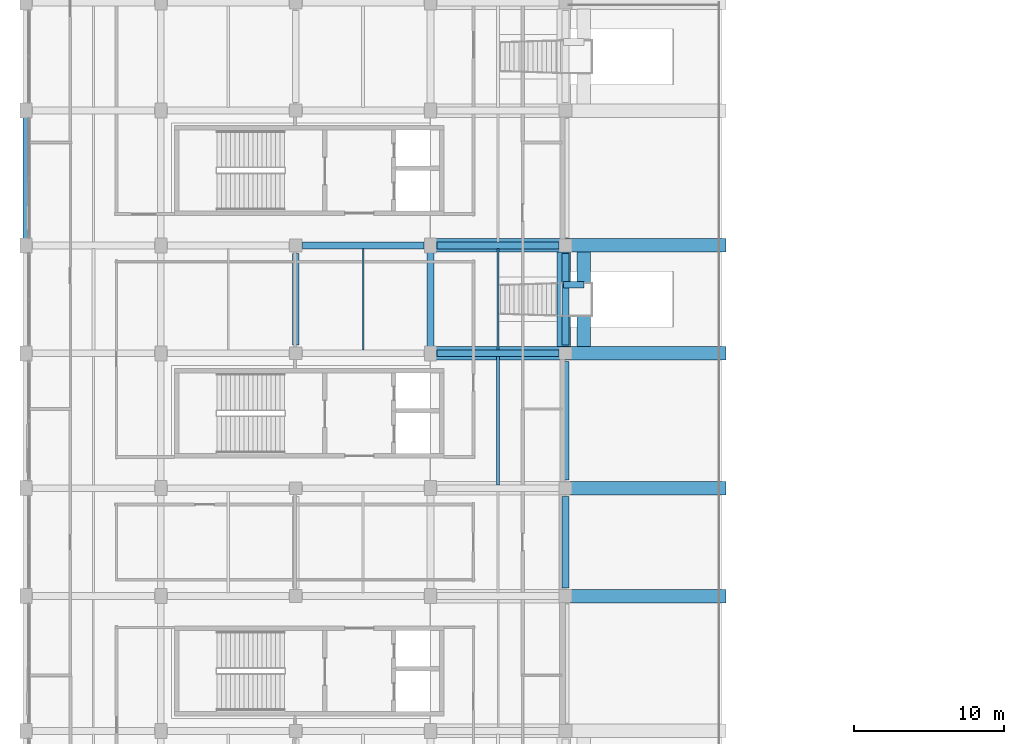
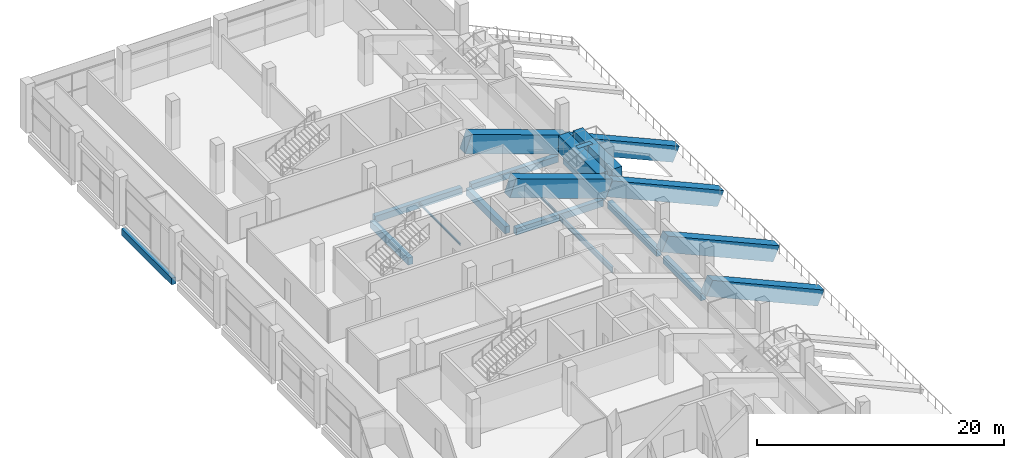
# One storey, part 28 of 66: 21 beams.
"""IFC4 building model written with IfcOpenShell, lengths in metres."""

from ifc_helpers import new_model, si_unit, direction, frame, origin, origin_2d, place, context, subcontext, project, spatial, rectangle, i_section, extrude, material, material_profile, profile_set, type_object, element, save


model = new_model("IFC4")

# Units and contexts
model_context = context("Model", 3, precision=1e-05, world=origin(), true_north=direction((0.0, 1.0)))
body_context = subcontext(model_context, "Body", "Model", "MODEL_VIEW")
ifc_project = project(units=[si_unit("LENGTHUNIT", "METRE"), si_unit("AREAUNIT", "SQUARE_METRE"), si_unit("VOLUMEUNIT", "CUBIC_METRE"), si_unit("PLANEANGLEUNIT", "RADIAN"), si_unit("MASSUNIT", "GRAM", prefix="KILO"), si_unit("THERMODYNAMICTEMPERATUREUNIT", "KELVIN"), si_unit("POWERUNIT", "WATT")], contexts=[model_context])

# Site, building, storey
site_placement = place(None, origin())
site = spatial("IfcSite", under=ifc_project, at=site_placement, CompositionType="ELEMENT")
building_placement = place(site_placement, origin())
building = spatial("IfcBuilding", under=site, at=building_placement, Name="Sindhuravela Promenade Stadium", CompositionType="ELEMENT")
storey_placement = place(building_placement, frame((0.0, 0.0, 19.199951171875)))
storey = spatial("IfcBuildingStorey", under=building, at=storey_placement, Name="L04", CompositionType="ELEMENT", Elevation=19.199951171875)

# Beams
ifc_material_1 = material(Name="Concrete M40", Category="concrete")
ifc_material_profile_1 = material_profile(ifc_material_1, rectangle(XDim=0.39990234375, YDim=0.64990234375, at=origin_2d()), Name="RC 400x650")
ifc_profile_set_1 = profile_set([ifc_material_profile_1], Name="Concrete M40")
beam_type_1 = type_object("IfcBeamType", Name="RC-BM-400x650", PredefinedType="SPANDREL", material=ifc_profile_set_1)
beam_1_placement = place(storey_placement, frame((0.0, 101.239990234375, -0.64501953125), z_axis=(0.0, 1.0, 0.0), x_axis=(-1.0, 0.0, 0.0)))
element("IfcBeam", 1, at=beam_1_placement, inside=storey, type_object=beam_type_1, Name="Primary beam SP01 WEST L04", PredefinedType="SPANDREL", context=body_context, shape_type="SweptSolid", body=[
    extrude(rectangle(XDim=0.39990234375, YDim=0.64990234375, at=origin_2d()), origin(), (0.0, 0.0, 1.0), 8.1201171875),
])
ifc_material_profile_2 = material_profile(ifc_material_1, rectangle(XDim=0.449951171875, YDim=0.64990234375, at=origin_2d()), Name="RC 450x650")
ifc_profile_set_2 = profile_set([ifc_material_profile_2], Name="Concrete M40")
beam_type_2 = type_object("IfcBeamType", Name="RC-BM-450x650", PredefinedType="T_BEAM", material=ifc_profile_set_2)
for number, where, z_axis, x_axis, name in (
    (2, (27.43994140625, 93.60009765625, -0.64501953125), (1.0, 0.0, 0.0), (0.0, 1.0, 0.0), "Primary girder GB08 WEST L04"),
    (3, (18.43994140625, 100.800048828125, -0.64501953125), (1.0, 0.0, 0.0), (0.0, 1.0, 0.0), "Primary girder GB08 WEST L04"),
    (4, (27.43994140625, 100.800048828125, -0.64501953125), (1.0, 0.0, 0.0), (0.0, 1.0, 0.0), "Primary girder GB08 WEST L04"),
):
    element("IfcBeam", number, at=place(storey_placement, frame(where, z_axis=z_axis, x_axis=x_axis)), inside=storey, type_object=beam_type_2, Name=name, PredefinedType="T_BEAM", context=body_context, shape_type="SweptSolid", body=[
        extrude(rectangle(XDim=0.449951171875, YDim=0.64990234375, at=origin_2d()), origin(), (0.0, 0.0, 1.0), 8.1201171875),
    ])
ifc_material_profile_3 = material_profile(ifc_material_1, rectangle(XDim=0.449951171875, YDim=0.699951171875, at=origin_2d()), Name="RC 450x700")
ifc_profile_set_3 = profile_set([ifc_material_profile_3], Name="Concrete M40")
beam_type_3 = type_object("IfcBeamType", Name="RC-BM-450x700", PredefinedType="BEAM", material=ifc_profile_set_3)
beam_2_placement = place(storey_placement, frame((18.0, 94.139892578125, -0.669921875), z_axis=(0.0, 1.0, 0.0), x_axis=(-1.0, 0.0, 0.0)))
element("IfcBeam", 5, at=beam_2_placement, inside=storey, type_object=beam_type_3, Name="Primary beam GB07 WEST L04", PredefinedType="BEAM", context=body_context, shape_type="SweptSolid", body=[
    extrude(rectangle(XDim=0.449951171875, YDim=0.699951171875, at=origin_2d()), origin(), (0.0, 0.0, 1.0), 6.1201171875),
])
beam_3_placement = place(storey_placement, frame((27.0, 94.0400390625, -0.669921875), z_axis=(0.0, 1.0, 0.0), x_axis=(-1.0, 0.0, 0.0)))
element("IfcBeam", 6, at=beam_3_placement, inside=storey, type_object=beam_type_3, Name="Primary beam GB07 WEST L04", PredefinedType="BEAM", context=body_context, shape_type="SweptSolid", body=[
    extrude(rectangle(XDim=0.449951171875, YDim=0.699951171875, at=origin_2d()), origin(), (0.0, 0.0, 1.0), 6.320068359375),
])
beam_4_placement = place(storey_placement, frame((36.0, 77.93994140625, -0.669921875), z_axis=(0.0, 1.0, 0.0), x_axis=(-1.0, 0.0, 0.0)))
element("IfcBeam", 7, at=beam_4_placement, inside=storey, type_object=beam_type_3, Name="Primary beam GB07 WEST L04", PredefinedType="BEAM", context=body_context, shape_type="SweptSolid", body=[
    extrude(rectangle(XDim=0.449951171875, YDim=0.699951171875, at=origin_2d()), origin(), (0.0, 0.0, 1.0), 6.1201171875),
])
beam_5_placement = place(storey_placement, frame((36.0, 85.139892578125, -0.669921875), z_axis=(0.0, 1.0, 0.0), x_axis=(-1.0, 0.0, 0.0)))
element("IfcBeam", 8, at=beam_5_placement, inside=storey, type_object=beam_type_3, Name="Primary beam GB07 WEST L04", PredefinedType="BEAM", context=body_context, shape_type="SweptSolid", body=[
    extrude(rectangle(XDim=0.449951171875, YDim=0.699951171875, at=origin_2d()), origin(), (0.0, 0.0, 1.0), 7.920166015625),
])
beam_6_placement = place(storey_placement, frame((36.0, 94.139892578125, -0.669921875), z_axis=(0.0, 1.0, 0.0), x_axis=(-1.0, 0.0, 0.0)))
element("IfcBeam", 9, at=beam_6_placement, inside=storey, type_object=beam_type_3, Name="Primary beam GB07 WEST L04", PredefinedType="BEAM", context=body_context, shape_type="SweptSolid", body=[
    extrude(rectangle(XDim=0.449951171875, YDim=0.699951171875, at=origin_2d()), origin(), (0.0, 0.0, 1.0), 6.1201171875),
])
beam_7_placement = place(storey_placement, frame((35.8798828125, 98.179931640625, 1.505126953125), z_axis=(1.0, 0.0, 0.0), x_axis=(0.0, 1.0, 0.0)))
element("IfcBeam", 10, at=beam_7_placement, inside=storey, type_object=beam_type_3, Name="Vomitory VS14 landing edge stringer", PredefinedType="BEAM", context=body_context, shape_type="SweptSolid", body=[
    extrude(rectangle(XDim=0.449951171875, YDim=0.699951171875, at=origin_2d()), origin(), (0.0, 0.0, 1.0), 1.35009765625),
])
ifc_material_2 = material(Name="Concrete M50", Category="concrete")
ifc_material_profile_4 = material_profile(ifc_material_2, rectangle(XDim=0.89990234375, YDim=1.5, at=origin_2d()), Name="RC 900x1500")
ifc_profile_set_4 = profile_set([ifc_material_profile_4], Name="Concrete M50")
beam_type_4 = type_object("IfcBeamType", Name="RC-RK-900x1500", PredefinedType="USERDEFINED", material=ifc_profile_set_4)
for number, where, z_axis, x_axis, name in (
    (11, (36.0, 77.39990234375, 0.75), (0.9145386978691881, 0.0, -0.40449841791993457), (0.0, 1.0, 0.0), "Upper cantilevered raker RK02 West 59"),
    (12, (36.0, 84.60009765625, 0.75), (0.9145386978691881, 0.0, -0.40449841791993457), (0.0, 1.0, 0.0), "Upper cantilevered raker RK02 West 61"),
    (13, (36.0, 93.60009765625, 0.75), (0.9145386978691881, 0.0, -0.40449841791993457), (0.0, 1.0, 0.0), "Upper cantilevered raker RK02 West 63"),
    (14, (36.0, 100.800048828125, 0.75), (0.9145386978691881, 0.0, -0.40449841791993457), (0.0, 1.0, 0.0), "Upper cantilevered raker RK02 West 65"),
):
    element("IfcBeam", number, at=place(storey_placement, frame(where, z_axis=z_axis, x_axis=x_axis)), inside=storey, type_object=beam_type_4, Name=name, ObjectType="RAKER", PredefinedType="USERDEFINED", context=body_context, shape_type="SweptSolid", body=[
        extrude(rectangle(XDim=0.89990234375, YDim=1.5, at=origin_2d()), origin(), (0.0, 0.0, 1.0), 11.371826171875),
    ])
ifc_material_profile_5 = material_profile(ifc_material_2, rectangle(XDim=0.89990234375, YDim=1.800048828125, at=origin_2d()), Name="RC 900x1800")
ifc_profile_set_5 = profile_set([ifc_material_profile_5], Name="Concrete M50")
beam_type_5 = type_object("IfcBeamType", Name="RC-RK-900x1800", PredefinedType="USERDEFINED", material=ifc_profile_set_5)
for number, where, z_axis, x_axis, name in (
    (15, (27.0, 93.60009765625, 3.949951171875), (0.9422163038291221, 0.0, -0.3350051295108589), (0.0, 1.0, 0.0), "Upper raker back-span RK01 West 63"),
    (16, (27.0, 100.800048828125, 3.949951171875), (0.9422163038291221, 0.0, -0.3350051295108589), (0.0, 1.0, 0.0), "Upper raker back-span RK01 West 65"),
):
    element("IfcBeam", number, at=place(storey_placement, frame(where, z_axis=z_axis, x_axis=x_axis)), inside=storey, type_object=beam_type_5, Name=name, ObjectType="RAKER", PredefinedType="USERDEFINED", context=body_context, shape_type="SweptSolid", body=[
        extrude(rectangle(XDim=0.89990234375, YDim=1.800048828125, at=origin_2d()), origin(), (0.0, 0.0, 1.0), 9.552001953125),
    ])
for number, where, z_axis, x_axis, name in (
    (17, (35.8798828125, 94.0400390625, 0.955078125), (0.0, 1.0, 0.0), (-1.0, 0.0, 0.0), "Vomitory VS14 landing trimmer beam 1"),
    (18, (37.22998046875, 94.0400390625, 0.955078125), (0.0, 1.0, 0.0), (-1.0, 0.0, 0.0), "Vomitory VS14 landing trimmer beam 2"),
):
    element("IfcBeam", number, at=place(storey_placement, frame(where, z_axis=z_axis, x_axis=x_axis)), inside=storey, type_object=beam_type_5, Name=name, ObjectType="RAKER", PredefinedType="USERDEFINED", context=body_context, shape_type="SweptSolid", body=[
        extrude(rectangle(XDim=0.89990234375, YDim=1.800048828125, at=origin_2d()), origin(), (0.0, 0.0, 1.0), 6.320068359375),
    ])
ifc_material_3 = material(Name="Steel E350 (IS 2062 E350BR)", Category="steel")
ifc_material_profile_6 = material_profile(ifc_material_3, i_section(OverallWidth=0.10009765625, OverallDepth=0.199951171875, WebThickness=0.005615234375, FlangeThickness=0.0107421875, FilletRadius=0.010986328125, at=origin_2d()), Name="ISMB 200")
ifc_profile_set_6 = profile_set([ifc_material_profile_6], Name="Steel E350 (IS 2062 E350BR)")
beam_type_6 = type_object("IfcBeamType", Name="ST-BM-MB200", PredefinedType="JOIST", material=ifc_profile_set_6)
beam_8_placement = place(storey_placement, frame((22.5, 93.81494140625, -0.419921875), z_axis=(0.0, 1.0, 0.0), x_axis=(-1.0, 0.0, 0.0)))
element("IfcBeam", 19, at=beam_8_placement, inside=storey, type_object=beam_type_6, Name="Secondary floor joist SB01 WEST L04", PredefinedType="JOIST", context=body_context, shape_type="SweptSolid", body=[
    extrude(i_section(OverallWidth=0.10009765625, OverallDepth=0.199951171875, WebThickness=0.005615234375, FlangeThickness=0.0107421875, FilletRadius=0.010986328125, at=origin_2d()), origin(), (0.0, 0.0, 1.0), 6.77001953125),
])
ifc_material_profile_7 = material_profile(ifc_material_3, i_section(OverallWidth=0.125, OverallDepth=0.25, WebThickness=0.0068359375, FlangeThickness=0.012451171875, FilletRadius=0.012939453125, at=origin_2d()), Name="ISMB 250")
ifc_profile_set_7 = profile_set([ifc_material_profile_7], Name="Steel E350 (IS 2062 E350BR)")
beam_type_7 = type_object("IfcBeamType", Name="ST-BM-MB250", PredefinedType="JOIST", material=ifc_profile_set_7)
beam_9_placement = place(storey_placement, frame((31.5, 93.81494140625, -0.445068359375), z_axis=(0.0, 1.0, 0.0), x_axis=(-1.0, 0.0, 0.0)))
element("IfcBeam", 20, at=beam_9_placement, inside=storey, type_object=beam_type_7, Name="Secondary floor joist SB02 WEST L04", PredefinedType="JOIST", context=body_context, shape_type="SweptSolid", body=[
    extrude(i_section(OverallWidth=0.125, OverallDepth=0.25, WebThickness=0.0068359375, FlangeThickness=0.012451171875, FilletRadius=0.012939453125, at=origin_2d()), origin(), (0.0, 0.0, 1.0), 6.77001953125),
])
ifc_material_profile_8 = material_profile(ifc_material_3, i_section(OverallWidth=0.18994140625, OverallDepth=0.550048828125, WebThickness=0.01123046875, FlangeThickness=0.019287109375, FilletRadius=0.01806640625, at=origin_2d()), Name="ISMB 550")
ifc_profile_set_8 = profile_set([ifc_material_profile_8], Name="Steel E350 (IS 2062 E350BR)")
beam_type_8 = type_object("IfcBeamType", Name="ST-BM-MB550", PredefinedType="SPANDREL", material=ifc_profile_set_8)
beam_10_placement = place(storey_placement, frame((31.5, 84.81494140625, -0.594970703125), z_axis=(0.0, 1.0, 0.0), x_axis=(-1.0, 0.0, 0.0)))
element("IfcBeam", 21, at=beam_10_placement, inside=storey, type_object=beam_type_8, Name="Secondary floor joist SB08 WEST L04", PredefinedType="SPANDREL", context=body_context, shape_type="SweptSolid", body=[
    extrude(i_section(OverallWidth=0.18994140625, OverallDepth=0.550048828125, WebThickness=0.01123046875, FlangeThickness=0.019287109375, FilletRadius=0.01806640625, at=origin_2d()), origin(), (0.0, 0.0, 1.0), 8.570068359375),
])

save(model, "model.ifc")
